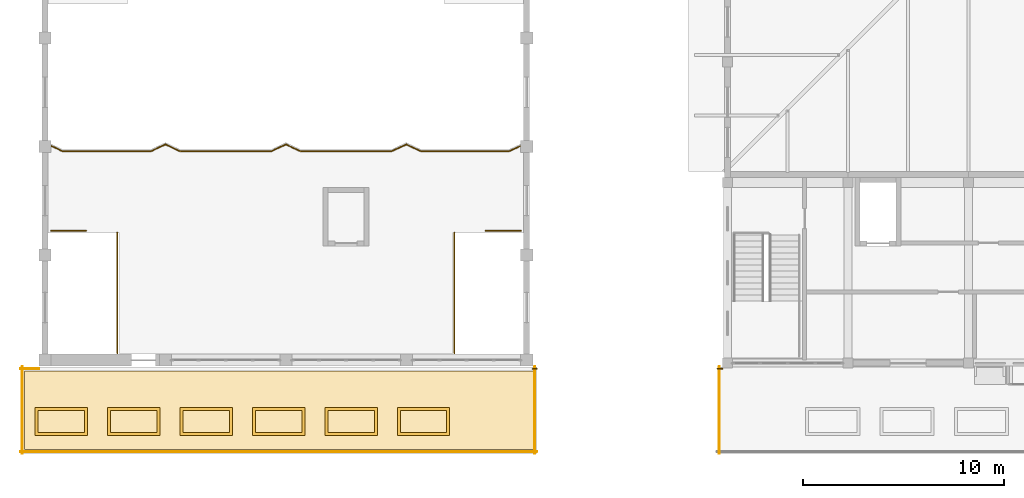
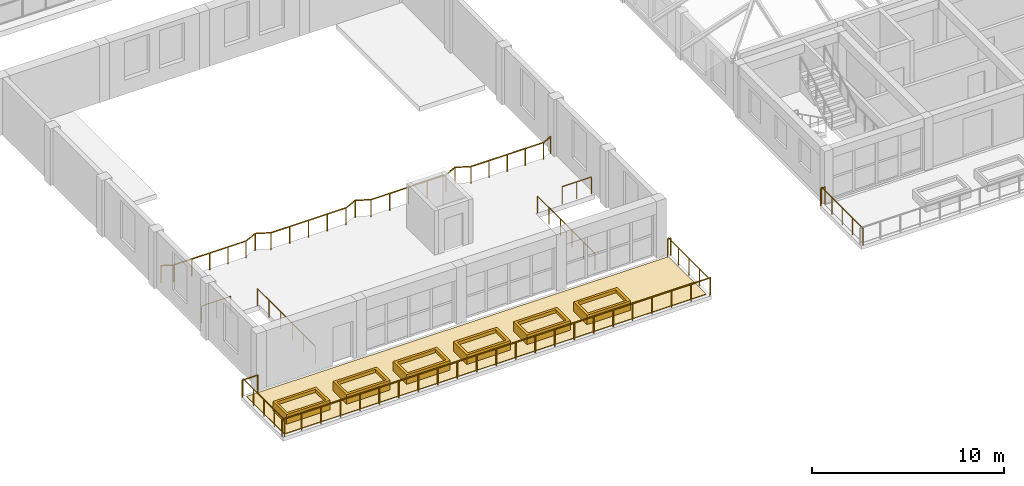
# One storey, part 68 of 82: 13 coverings, 12 railings.
"""IFC4 building model written with IfcOpenShell, lengths in metres."""

from ifc_helpers import new_model, si_unit, direction, frame, origin, origin_2d, place, context, subcontext, project, spatial, polyline, circle, outline, extrude, material, layer, layer_set, type_object, element, save


model = new_model("IFC4")

# Units and contexts
model_context = context("Model", 3, precision=1e-05, world=origin(), true_north=direction((0.0, 1.0)))
body_context = subcontext(model_context, "Body", "Model", "MODEL_VIEW")
ifc_project = project(units=[si_unit("LENGTHUNIT", "METRE"), si_unit("AREAUNIT", "SQUARE_METRE"), si_unit("VOLUMEUNIT", "CUBIC_METRE"), si_unit("PLANEANGLEUNIT", "RADIAN"), si_unit("MASSUNIT", "GRAM", prefix="KILO")], contexts=[model_context])

# Site, building, storey
site_placement = place(None, origin())
site = spatial("IfcSite", under=ifc_project, at=site_placement, CompositionType="ELEMENT")
building_placement = place(site_placement, origin())
building = spatial("IfcBuilding", under=site, at=building_placement, Name="Elbe Cascade School", CompositionType="ELEMENT")
storey_placement = place(building_placement, frame((0.0, 0.0, 4.5)))
storey = spatial("IfcBuildingStorey", under=building, at=storey_placement, Name="L01", CompositionType="ELEMENT", Elevation=4.5)

# Railings
ifc_material_1 = material(Name="Steel S355J2H balustrade", Category="steel")
railing_type_1 = type_object("IfcRailingType", Name="Assembly hall guard 1100", PredefinedType="GUARDRAIL", material=ifc_material_1)
railing_1_placement = place(storey_placement, frame((5.300048828125, 12.60009765625, 0.0)))
element("IfcRailing", 1, at=railing_1_placement, inside=storey, type_object=railing_type_1, Name="Assembly hall guard 1100 RL14", PredefinedType="GUARDRAIL", context=body_context, shape_type="SweptSolid", body=[
    extrude(circle(Radius=0.02490234375, at=origin_2d()), frame((0.0, 0.0, 1.0751953125), z_axis=(1.0, 0.0, 0.0), x_axis=(0.0, 1.0, 0.0)), (0.0, 0.0, 1.0), 1.75),
    extrude(circle(Radius=0.02001953125, at=origin_2d()), origin(), (0.0, 0.0, 1.0), 1.050048828125),
    extrude(circle(Radius=0.02001953125, at=origin_2d()), frame((0.875, 0.0, 0.0)), (0.0, 0.0, 1.0), 1.050048828125),
    extrude(circle(Radius=0.02001953125, at=origin_2d()), frame((1.75, 0.0, 0.0)), (0.0, 0.0, 1.0), 1.050048828125),
])
railing_2_placement = place(storey_placement, frame((28.699951171875, 12.60009765625, 0.0)))
element("IfcRailing", 2, at=railing_2_placement, inside=storey, type_object=railing_type_1, Name="Assembly hall guard 1100 RL14", PredefinedType="GUARDRAIL", context=body_context, shape_type="SweptSolid", body=[
    extrude(circle(Radius=0.02490234375, at=origin_2d()), frame((0.0, 0.0, 1.0751953125), z_axis=(-1.0, 0.0, 0.0), x_axis=(0.0, -1.0, 0.0)), (0.0, 0.0, 1.0), 1.75),
    extrude(circle(Radius=0.02001953125, at=origin_2d()), origin(), (0.0, 0.0, 1.0), 1.050048828125),
    extrude(circle(Radius=0.02001953125, at=origin_2d()), frame((-0.875, 0.0, 0.0)), (0.0, 0.0, 1.0), 1.050048828125),
    extrude(circle(Radius=0.02001953125, at=origin_2d()), frame((-1.75, 0.0, 0.0)), (0.0, 0.0, 1.0), 1.050048828125),
])
for number, where, name in (
    (3, (8.60009765625, 6.5, 0.0), "Assembly hall guard 1100 RL14"),
    (4, (25.39990234375, 6.5, 0.0), "Assembly hall guard 1100 RL14"),
):
    element("IfcRailing", number, at=place(storey_placement, frame(where)), inside=storey, type_object=railing_type_1, Name=name, PredefinedType="GUARDRAIL", context=body_context, shape_type="SweptSolid", body=[
        extrude(circle(Radius=0.02490234375, at=origin_2d()), frame((0.0, 0.0, 1.0751953125), z_axis=(0.0, 1.0, 0.0), x_axis=(-1.0, 0.0, 0.0)), (0.0, 0.0, 1.0), 6.0),
        extrude(circle(Radius=0.02001953125, at=origin_2d()), origin(), (0.0, 0.0, 1.0), 1.050048828125),
        extrude(circle(Radius=0.02001953125, at=origin_2d()), frame((0.0, 1.199951171875, 0.0)), (0.0, 0.0, 1.0), 1.050048828125),
        extrude(circle(Radius=0.02001953125, at=origin_2d()), frame((0.0, 2.39990234375, 0.0)), (0.0, 0.0, 1.0), 1.050048828125),
        extrude(circle(Radius=0.02001953125, at=origin_2d()), frame((0.0, 3.60009765625, 0.0)), (0.0, 0.0, 1.0), 1.050048828125),
        extrude(circle(Radius=0.02001953125, at=origin_2d()), frame((0.0, 4.800048828125, 0.0)), (0.0, 0.0, 1.0), 1.050048828125),
        extrude(circle(Radius=0.02001953125, at=origin_2d()), frame((0.0, 6.0, 0.0)), (0.0, 0.0, 1.0), 1.050048828125),
    ])
railing_3_placement = place(storey_placement, frame((5.300048828125, 16.830078125, 0.0)))
element("IfcRailing", 5, at=railing_3_placement, inside=storey, type_object=railing_type_1, Name="Assembly hall guard 1100 RL14", PredefinedType="GUARDRAIL", context=body_context, shape_type="SweptSolid", body=[
    extrude(circle(Radius=0.02490234375, at=origin_2d()), frame((0.0, 0.0, 1.0751953125), z_axis=(0.906126601447, -0.423006598234, 0.0), x_axis=(0.423006598234, 0.906126601447, 0.0)), (0.0, 0.0, 1.0), 0.662109375),
    extrude(circle(Radius=0.02490234375, at=origin_2d()), frame((0.599853515625, -0.280029296875, 1.0751953125), z_axis=(1.0, 0.0, 0.0), x_axis=(0.0, 1.0, 0.0)), (0.0, 0.0, 1.0), 4.35009765625),
    extrude(circle(Radius=0.02490234375, at=origin_2d()), frame((4.949951171875, -0.280029296875, 1.0751953125), z_axis=(0.906250957626, 0.422740111419, 0.0), x_axis=(-0.422740111419, 0.906250957626, 0.0)), (0.0, 0.0, 1.0), 0.82763671875),
    extrude(circle(Radius=0.02490234375, at=origin_2d()), frame((5.699951171875, 0.06982421875, 1.0751953125), z_axis=(0.906250957626, -0.422740111419, 0.0), x_axis=(0.422740111419, 0.906250957626, 0.0)), (0.0, 0.0, 1.0), 0.82763671875),
    extrude(circle(Radius=0.02490234375, at=origin_2d()), frame((6.449951171875, -0.280029296875, 1.0751953125), z_axis=(1.0, 0.0, 0.0), x_axis=(0.0, 1.0, 0.0)), (0.0, 0.0, 1.0), 4.5),
    extrude(circle(Radius=0.02490234375, at=origin_2d()), frame((10.949951171875, -0.280029296875, 1.0751953125), z_axis=(0.906250957626, 0.422740111419, 0.0), x_axis=(-0.422740111419, 0.906250957626, 0.0)), (0.0, 0.0, 1.0), 0.82763671875),
    extrude(circle(Radius=0.02490234375, at=origin_2d()), frame((11.699951171875, 0.06982421875, 1.0751953125), z_axis=(0.906250957626, -0.422740111419, 0.0), x_axis=(0.422740111419, 0.906250957626, 0.0)), (0.0, 0.0, 1.0), 0.82763671875),
    extrude(circle(Radius=0.02490234375, at=origin_2d()), frame((12.449951171875, -0.280029296875, 1.0751953125), z_axis=(1.0, 0.0, 0.0), x_axis=(0.0, 1.0, 0.0)), (0.0, 0.0, 1.0), 4.5),
    extrude(circle(Radius=0.02490234375, at=origin_2d()), frame((16.949951171875, -0.280029296875, 1.0751953125), z_axis=(0.906250957626, 0.422740111419, 0.0), x_axis=(-0.422740111419, 0.906250957626, 0.0)), (0.0, 0.0, 1.0), 0.82763671875),
    extrude(circle(Radius=0.02490234375, at=origin_2d()), frame((17.699951171875, 0.06982421875, 1.0751953125), z_axis=(0.906250957626, -0.422740111419, 0.0), x_axis=(0.422740111419, 0.906250957626, 0.0)), (0.0, 0.0, 1.0), 0.82763671875),
    extrude(circle(Radius=0.02490234375, at=origin_2d()), frame((18.449951171875, -0.280029296875, 1.0751953125), z_axis=(1.0, 0.0, 0.0), x_axis=(0.0, 1.0, 0.0)), (0.0, 0.0, 1.0), 4.35009765625),
    extrude(circle(Radius=0.02490234375, at=origin_2d()), frame((22.800048828125, -0.280029296875, 1.0751953125), z_axis=(0.906126601447, 0.423006598234, 0.0), x_axis=(-0.423006598234, 0.906126601447, 0.0)), (0.0, 0.0, 1.0), 0.662109375),
    extrude(circle(Radius=0.02001953125, at=origin_2d()), origin(), (0.0, 0.0, 1.0), 1.050048828125),
    extrude(circle(Radius=0.02001953125, at=origin_2d()), frame((0.599853515625, -0.280029296875, 0.0)), (0.0, 0.0, 1.0), 1.050048828125),
    extrude(circle(Radius=0.02001953125, at=origin_2d()), frame((1.6875, -0.280029296875, 0.0)), (0.0, 0.0, 1.0), 1.050048828125),
    extrude(circle(Radius=0.02001953125, at=origin_2d()), frame((2.77490234375, -0.280029296875, 0.0)), (0.0, 0.0, 1.0), 1.050048828125),
    extrude(circle(Radius=0.02001953125, at=origin_2d()), frame((3.8623046875, -0.280029296875, 0.0)), (0.0, 0.0, 1.0), 1.050048828125),
    extrude(circle(Radius=0.02001953125, at=origin_2d()), frame((4.949951171875, -0.280029296875, 0.0)), (0.0, 0.0, 1.0), 1.050048828125),
    extrude(circle(Radius=0.02001953125, at=origin_2d()), frame((5.699951171875, 0.06982421875, 0.0)), (0.0, 0.0, 1.0), 1.050048828125),
    extrude(circle(Radius=0.02001953125, at=origin_2d()), frame((6.449951171875, -0.280029296875, 0.0)), (0.0, 0.0, 1.0), 1.050048828125),
    extrude(circle(Radius=0.02001953125, at=origin_2d()), frame((7.574951171875, -0.280029296875, 0.0)), (0.0, 0.0, 1.0), 1.050048828125),
    extrude(circle(Radius=0.02001953125, at=origin_2d()), frame((8.699951171875, -0.280029296875, 0.0)), (0.0, 0.0, 1.0), 1.050048828125),
    extrude(circle(Radius=0.02001953125, at=origin_2d()), frame((9.824951171875, -0.280029296875, 0.0)), (0.0, 0.0, 1.0), 1.050048828125),
    extrude(circle(Radius=0.02001953125, at=origin_2d()), frame((10.949951171875, -0.280029296875, 0.0)), (0.0, 0.0, 1.0), 1.050048828125),
    extrude(circle(Radius=0.02001953125, at=origin_2d()), frame((11.699951171875, 0.06982421875, 0.0)), (0.0, 0.0, 1.0), 1.050048828125),
    extrude(circle(Radius=0.02001953125, at=origin_2d()), frame((12.449951171875, -0.280029296875, 0.0)), (0.0, 0.0, 1.0), 1.050048828125),
    extrude(circle(Radius=0.02001953125, at=origin_2d()), frame((13.574951171875, -0.280029296875, 0.0)), (0.0, 0.0, 1.0), 1.050048828125),
    extrude(circle(Radius=0.02001953125, at=origin_2d()), frame((14.699951171875, -0.280029296875, 0.0)), (0.0, 0.0, 1.0), 1.050048828125),
    extrude(circle(Radius=0.02001953125, at=origin_2d()), frame((15.824951171875, -0.280029296875, 0.0)), (0.0, 0.0, 1.0), 1.050048828125),
    extrude(circle(Radius=0.02001953125, at=origin_2d()), frame((16.949951171875, -0.280029296875, 0.0)), (0.0, 0.0, 1.0), 1.050048828125),
    extrude(circle(Radius=0.02001953125, at=origin_2d()), frame((17.699951171875, 0.06982421875, 0.0)), (0.0, 0.0, 1.0), 1.050048828125),
    extrude(circle(Radius=0.02001953125, at=origin_2d()), frame((18.449951171875, -0.280029296875, 0.0)), (0.0, 0.0, 1.0), 1.050048828125),
    extrude(circle(Radius=0.02001953125, at=origin_2d()), frame((19.53759765625, -0.280029296875, 0.0)), (0.0, 0.0, 1.0), 1.050048828125),
    extrude(circle(Radius=0.02001953125, at=origin_2d()), frame((20.625, -0.280029296875, 0.0)), (0.0, 0.0, 1.0), 1.050048828125),
    extrude(circle(Radius=0.02001953125, at=origin_2d()), frame((21.71240234375, -0.280029296875, 0.0)), (0.0, 0.0, 1.0), 1.050048828125),
    extrude(circle(Radius=0.02001953125, at=origin_2d()), frame((22.800048828125, -0.280029296875, 0.0)), (0.0, 0.0, 1.0), 1.050048828125),
    extrude(circle(Radius=0.02001953125, at=origin_2d()), frame((23.39990234375, 0.0, 0.0)), (0.0, 0.0, 1.0), 1.050048828125),
])

# Covering
ifc_material_2 = material(Name="Bitumen roofing membrane", Category="membrane")
ifc_layer_1 = layer(ifc_material_2, 0.0400390625)
ifc_layer_set_1 = layer_set([ifc_layer_1], Name="Bitumen roofing membrane")
covering_type_1 = type_object("IfcCoveringType", Name="Colonnade roofing 40", PredefinedType="ROOFING", material=ifc_layer_set_1)
covering_1_placement = place(storey_placement, origin())
element("IfcCovering", 6, at=covering_1_placement, inside=storey, type_object=covering_type_1, Name="Colonnade roof covering 1.1", PredefinedType="ROOFING", context=body_context, shape_type="SweptSolid", body=[
    extrude(outline(polyline([(29.300048828125, 1.699951171875), (29.300048828125, 5.6201171875), (3.97509765625, 5.6201171875), (3.97509765625, 1.699951171875), (29.300048828125, 1.699951171875)])), origin(), (0.0, 0.0, 1.0), 0.0400390625),
])

# Railings
ifc_material_3 = material(Name="Steel S355J2H", Category="steel")
railing_type_2 = type_object("IfcRailingType", Name="Quay and steps guard 1100", PredefinedType="GUARDRAIL", material=ifc_material_3)
railing_4_placement = place(storey_placement, frame((3.875, 1.5, 0.0)))
element("IfcRailing", 7, at=railing_4_placement, inside=storey, type_object=railing_type_2, Name="Colonnade roof guard 1", PredefinedType="GUARDRAIL", context=body_context, shape_type="SweptSolid", body=[
    extrude(circle(Radius=0.02392578125, at=origin_2d()), frame((0.0, 0.0, 1.076171875), z_axis=(0.0, 1.0, 0.0), x_axis=(-1.0, 0.0, 0.0)), (0.0, 0.0, 1.0), 4.320068359375),
    extrude(circle(Radius=0.02099609375, at=origin_2d()), origin(), (0.0, 0.0, 1.0), 1.052001953125),
    extrude(circle(Radius=0.02099609375, at=origin_2d()), frame((0.0, 1.080078125, 0.0)), (0.0, 0.0, 1.0), 1.052001953125),
    extrude(circle(Radius=0.02099609375, at=origin_2d()), frame((0.0, 2.16015625, 0.0)), (0.0, 0.0, 1.0), 1.052001953125),
    extrude(circle(Radius=0.02099609375, at=origin_2d()), frame((0.0, 3.239990234375, 0.0)), (0.0, 0.0, 1.0), 1.052001953125),
    extrude(circle(Radius=0.02099609375, at=origin_2d()), frame((0.0, 4.320068359375, 0.0)), (0.0, 0.0, 1.0), 1.052001953125),
])
railing_5_placement = place(storey_placement, frame((3.77490234375, 5.719970703125, 0.0)))
element("IfcRailing", 8, at=railing_5_placement, inside=storey, type_object=railing_type_2, Name="Colonnade roof guard 2", PredefinedType="GUARDRAIL", context=body_context, shape_type="SweptSolid", body=[
    extrude(circle(Radius=0.02392578125, at=origin_2d()), frame((0.0, 0.0, 1.076171875), z_axis=(1.0, 0.0, 0.0), x_axis=(0.0, 1.0, 0.0)), (0.0, 0.0, 1.0), 0.925048828125),
    extrude(circle(Radius=0.02099609375, at=origin_2d()), origin(), (0.0, 0.0, 1.0), 1.052001953125),
    extrude(circle(Radius=0.02099609375, at=origin_2d()), frame((0.925048828125, 0.0, 0.0)), (0.0, 0.0, 1.0), 1.052001953125),
])
railing_6_placement = place(storey_placement, frame((29.300048828125, 5.719970703125, 0.0)))
element("IfcRailing", 9, at=railing_6_placement, inside=storey, type_object=railing_type_2, Name="Colonnade roof guard 3", PredefinedType="GUARDRAIL", context=body_context, shape_type="SweptSolid", body=[
    extrude(circle(Radius=0.02392578125, at=origin_2d()), frame((0.0, 0.0, 1.076171875), z_axis=(1.0, 0.0, 0.0), x_axis=(0.0, 1.0, 0.0)), (0.0, 0.0, 1.0), 0.199951171875),
    extrude(circle(Radius=0.02099609375, at=origin_2d()), origin(), (0.0, 0.0, 1.0), 1.052001953125),
    extrude(circle(Radius=0.02099609375, at=origin_2d()), frame((0.199951171875, 0.0, 0.0)), (0.0, 0.0, 1.0), 1.052001953125),
])
railing_7_placement = place(storey_placement, frame((29.39990234375, 5.820068359375, 0.0)))
element("IfcRailing", 10, at=railing_7_placement, inside=storey, type_object=railing_type_2, Name="Colonnade roof guard 4", PredefinedType="GUARDRAIL", context=body_context, shape_type="SweptSolid", body=[
    extrude(circle(Radius=0.02392578125, at=origin_2d()), frame((0.0, 0.0, 1.076171875), z_axis=(0.0, -1.0, 0.0), x_axis=(1.0, 0.0, 0.0)), (0.0, 0.0, 1.0), 4.320068359375),
    extrude(circle(Radius=0.02099609375, at=origin_2d()), origin(), (0.0, 0.0, 1.0), 1.052001953125),
    extrude(circle(Radius=0.02099609375, at=origin_2d()), frame((0.0, -1.080078125, 0.0)), (0.0, 0.0, 1.0), 1.052001953125),
    extrude(circle(Radius=0.02099609375, at=origin_2d()), frame((0.0, -2.16015625, 0.0)), (0.0, 0.0, 1.0), 1.052001953125),
    extrude(circle(Radius=0.02099609375, at=origin_2d()), frame((0.0, -3.239990234375, 0.0)), (0.0, 0.0, 1.0), 1.052001953125),
    extrude(circle(Radius=0.02099609375, at=origin_2d()), frame((0.0, -4.320068359375, 0.0)), (0.0, 0.0, 1.0), 1.052001953125),
])
railing_8_placement = place(storey_placement, frame((29.5, 1.60009765625, 0.0)))
element("IfcRailing", 11, at=railing_8_placement, inside=storey, type_object=railing_type_2, Name="Colonnade roof guard 5", PredefinedType="GUARDRAIL", context=body_context, shape_type="SweptSolid", body=[
    extrude(circle(Radius=0.02392578125, at=origin_2d()), frame((0.0, 0.0, 1.076171875), z_axis=(-1.0, 0.0, 0.0), x_axis=(0.0, -1.0, 0.0)), (0.0, 0.0, 1.0), 25.72509765625),
    extrude(circle(Radius=0.02099609375, at=origin_2d()), origin(), (0.0, 0.0, 1.0), 1.052001953125),
    extrude(circle(Radius=0.02099609375, at=origin_2d()), frame((-1.16943359375, 0.0, 0.0)), (0.0, 0.0, 1.0), 1.052001953125),
    extrude(circle(Radius=0.02099609375, at=origin_2d()), frame((-2.338623046875, 0.0, 0.0)), (0.0, 0.0, 1.0), 1.052001953125),
    extrude(circle(Radius=0.02099609375, at=origin_2d()), frame((-3.508056640625, 0.0, 0.0)), (0.0, 0.0, 1.0), 1.052001953125),
    extrude(circle(Radius=0.02099609375, at=origin_2d()), frame((-4.67724609375, 0.0, 0.0)), (0.0, 0.0, 1.0), 1.052001953125),
    extrude(circle(Radius=0.02099609375, at=origin_2d()), frame((-5.8466796875, 0.0, 0.0)), (0.0, 0.0, 1.0), 1.052001953125),
    extrude(circle(Radius=0.02099609375, at=origin_2d()), frame((-7.015869140625, 0.0, 0.0)), (0.0, 0.0, 1.0), 1.052001953125),
    extrude(circle(Radius=0.02099609375, at=origin_2d()), frame((-8.185302734375, 0.0, 0.0)), (0.0, 0.0, 1.0), 1.052001953125),
    extrude(circle(Radius=0.02099609375, at=origin_2d()), frame((-9.3544921875, 0.0, 0.0)), (0.0, 0.0, 1.0), 1.052001953125),
    extrude(circle(Radius=0.02099609375, at=origin_2d()), frame((-10.52392578125, 0.0, 0.0)), (0.0, 0.0, 1.0), 1.052001953125),
    extrude(circle(Radius=0.02099609375, at=origin_2d()), frame((-11.693115234375, 0.0, 0.0)), (0.0, 0.0, 1.0), 1.052001953125),
    extrude(circle(Radius=0.02099609375, at=origin_2d()), frame((-12.862548828125, 0.0, 0.0)), (0.0, 0.0, 1.0), 1.052001953125),
    extrude(circle(Radius=0.02099609375, at=origin_2d()), frame((-14.031982421875, 0.0, 0.0)), (0.0, 0.0, 1.0), 1.052001953125),
    extrude(circle(Radius=0.02099609375, at=origin_2d()), frame((-15.201171875, 0.0, 0.0)), (0.0, 0.0, 1.0), 1.052001953125),
    extrude(circle(Radius=0.02099609375, at=origin_2d()), frame((-16.37060546875, 0.0, 0.0)), (0.0, 0.0, 1.0), 1.052001953125),
    extrude(circle(Radius=0.02099609375, at=origin_2d()), frame((-17.539794921875, 0.0, 0.0)), (0.0, 0.0, 1.0), 1.052001953125),
    extrude(circle(Radius=0.02099609375, at=origin_2d()), frame((-18.709228515625, 0.0, 0.0)), (0.0, 0.0, 1.0), 1.052001953125),
    extrude(circle(Radius=0.02099609375, at=origin_2d()), frame((-19.87841796875, 0.0, 0.0)), (0.0, 0.0, 1.0), 1.052001953125),
    extrude(circle(Radius=0.02099609375, at=origin_2d()), frame((-21.0478515625, 0.0, 0.0)), (0.0, 0.0, 1.0), 1.052001953125),
    extrude(circle(Radius=0.02099609375, at=origin_2d()), frame((-22.217041015625, 0.0, 0.0)), (0.0, 0.0, 1.0), 1.052001953125),
    extrude(circle(Radius=0.02099609375, at=origin_2d()), frame((-23.386474609375, 0.0, 0.0)), (0.0, 0.0, 1.0), 1.052001953125),
    extrude(circle(Radius=0.02099609375, at=origin_2d()), frame((-24.5556640625, 0.0, 0.0)), (0.0, 0.0, 1.0), 1.052001953125),
    extrude(circle(Radius=0.02099609375, at=origin_2d()), frame((-25.72509765625, 0.0, 0.0)), (0.0, 0.0, 1.0), 1.052001953125),
])
railing_9_placement = place(storey_placement, frame((38.60009765625, 1.5, 0.0)))
element("IfcRailing", 12, at=railing_9_placement, inside=storey, type_object=railing_type_2, Name="Colonnade roof guard 2", PredefinedType="GUARDRAIL", context=body_context, shape_type="SweptSolid", body=[
    extrude(circle(Radius=0.02392578125, at=origin_2d()), frame((0.0, 0.0, 1.076171875), z_axis=(0.0, 1.0, 0.0), x_axis=(-1.0, 0.0, 0.0)), (0.0, 0.0, 1.0), 4.320068359375),
    extrude(circle(Radius=0.02099609375, at=origin_2d()), origin(), (0.0, 0.0, 1.0), 1.052001953125),
    extrude(circle(Radius=0.02099609375, at=origin_2d()), frame((0.0, 1.080078125, 0.0)), (0.0, 0.0, 1.0), 1.052001953125),
    extrude(circle(Radius=0.02099609375, at=origin_2d()), frame((0.0, 2.16015625, 0.0)), (0.0, 0.0, 1.0), 1.052001953125),
    extrude(circle(Radius=0.02099609375, at=origin_2d()), frame((0.0, 3.239990234375, 0.0)), (0.0, 0.0, 1.0), 1.052001953125),
    extrude(circle(Radius=0.02099609375, at=origin_2d()), frame((0.0, 4.320068359375, 0.0)), (0.0, 0.0, 1.0), 1.052001953125),
])
railing_10_placement = place(storey_placement, frame((38.5, 5.719970703125, 0.0)))
element("IfcRailing", 13, at=railing_10_placement, inside=storey, type_object=railing_type_2, Name="Colonnade roof guard 3", PredefinedType="GUARDRAIL", context=body_context, shape_type="SweptSolid", body=[
    extrude(circle(Radius=0.02392578125, at=origin_2d()), frame((0.0, 0.0, 1.076171875), z_axis=(1.0, 0.0, 0.0), x_axis=(0.0, 1.0, 0.0)), (0.0, 0.0, 1.0), 0.25),
    extrude(circle(Radius=0.02099609375, at=origin_2d()), origin(), (0.0, 0.0, 1.0), 1.052001953125),
    extrude(circle(Radius=0.02099609375, at=origin_2d()), frame((0.25, 0.0, 0.0)), (0.0, 0.0, 1.0), 1.052001953125),
])

# Coverings
ifc_material_4 = material(Name="Planting - soil and shrubs", Category="soil")
ifc_layer_2 = layer(ifc_material_4, 0.39990234375)
ifc_layer_set_2 = layer_set([ifc_layer_2], Name="Planting - soil and shrubs")
covering_type_2 = type_object("IfcCoveringType", Name="Site planting bed 400", PredefinedType="USERDEFINED", material=ifc_layer_set_2)
covering_2_placement = place(storey_placement, frame((0.0, 0.0, 0.0400390625)))
element("IfcCovering", 14, at=covering_2_placement, inside=storey, type_object=covering_type_2, Name="Colonnade roof planting bed 1", ObjectType="PLANTING BED", PredefinedType="USERDEFINED", context=body_context, shape_type="SweptSolid", body=[
    extrude(outline(polyline([(4.64990234375, 2.550048828125), (6.960693359375, 2.550048828125), (6.960693359375, 3.64990234375), (4.64990234375, 3.64990234375), (4.64990234375, 2.550048828125)])), origin(), (0.0, 0.0, 1.0), 0.39990234375),
])
covering_3_placement = place(storey_placement, frame((0.0, 0.0, 0.0400390625)))
element("IfcCovering", 15, at=covering_3_placement, inside=storey, type_object=covering_type_2, Name="Colonnade roof planting bed 2", ObjectType="PLANTING BED", PredefinedType="USERDEFINED", context=body_context, shape_type="SweptSolid", body=[
    extrude(outline(polyline([(8.2607421875, 2.550048828125), (10.5712890625, 2.550048828125), (10.5712890625, 3.64990234375), (8.2607421875, 3.64990234375), (8.2607421875, 2.550048828125)])), origin(), (0.0, 0.0, 1.0), 0.39990234375),
])
covering_4_placement = place(storey_placement, frame((0.0, 0.0, 0.0400390625)))
element("IfcCovering", 16, at=covering_4_placement, inside=storey, type_object=covering_type_2, Name="Colonnade roof planting bed 3", ObjectType="PLANTING BED", PredefinedType="USERDEFINED", context=body_context, shape_type="SweptSolid", body=[
    extrude(outline(polyline([(11.871337890625, 2.550048828125), (14.18212890625, 2.550048828125), (14.18212890625, 3.64990234375), (11.871337890625, 3.64990234375), (11.871337890625, 2.550048828125)])), origin(), (0.0, 0.0, 1.0), 0.39990234375),
])
covering_5_placement = place(storey_placement, frame((0.0, 0.0, 0.0400390625)))
element("IfcCovering", 17, at=covering_5_placement, inside=storey, type_object=covering_type_2, Name="Colonnade roof planting bed 4", ObjectType="PLANTING BED", PredefinedType="USERDEFINED", context=body_context, shape_type="SweptSolid", body=[
    extrude(outline(polyline([(15.482177734375, 2.550048828125), (17.79296875, 2.550048828125), (17.79296875, 3.64990234375), (15.482177734375, 3.64990234375), (15.482177734375, 2.550048828125)])), origin(), (0.0, 0.0, 1.0), 0.39990234375),
])
covering_6_placement = place(storey_placement, frame((0.0, 0.0, 0.0400390625)))
element("IfcCovering", 18, at=covering_6_placement, inside=storey, type_object=covering_type_2, Name="Colonnade roof planting bed 5", ObjectType="PLANTING BED", PredefinedType="USERDEFINED", context=body_context, shape_type="SweptSolid", body=[
    extrude(outline(polyline([(19.093017578125, 2.550048828125), (21.403564453125, 2.550048828125), (21.403564453125, 3.64990234375), (19.093017578125, 3.64990234375), (19.093017578125, 2.550048828125)])), origin(), (0.0, 0.0, 1.0), 0.39990234375),
])
covering_7_placement = place(storey_placement, frame((0.0, 0.0, 0.0400390625)))
element("IfcCovering", 19, at=covering_7_placement, inside=storey, type_object=covering_type_2, Name="Colonnade roof planting bed 6", ObjectType="PLANTING BED", PredefinedType="USERDEFINED", context=body_context, shape_type="SweptSolid", body=[
    extrude(outline(polyline([(22.70361328125, 2.550048828125), (25.014404296875, 2.550048828125), (25.014404296875, 3.64990234375), (22.70361328125, 3.64990234375), (22.70361328125, 2.550048828125)])), origin(), (0.0, 0.0, 1.0), 0.39990234375),
])
ifc_material_5 = material(Name="Concrete C30/37 precast kerb", Category="concrete")
ifc_layer_3 = layer(ifc_material_5, 0.14990234375)
ifc_layer_set_3 = layer_set([ifc_layer_3], Name="Concrete C30/37 precast kerb")
covering_type_3 = type_object("IfcCoveringType", Name="Site planting bed kerb 150x600", PredefinedType="CLADDING", material=ifc_layer_set_3)
covering_8_placement = place(storey_placement, frame((0.0, 0.0, 0.0400390625)))
element("IfcCovering", 20, at=covering_8_placement, inside=storey, type_object=covering_type_3, Name="Colonnade roof planting bed kerb 1", PredefinedType="CLADDING", context=body_context, shape_type="SweptSolid", body=[
    extrude(outline(polyline([(4.5, 2.39990234375), (7.110595703125, 2.39990234375), (7.110595703125, 3.800048828125), (4.5, 3.800048828125), (4.5, 2.39990234375)]), holes=[polyline([(4.64990234375, 2.550048828125), (6.960693359375, 2.550048828125), (6.960693359375, 3.64990234375), (4.64990234375, 3.64990234375), (4.64990234375, 2.550048828125)])]), origin(), (0.0, 0.0, 1.0), 0.599853515625),
])
covering_9_placement = place(storey_placement, frame((0.0, 0.0, 0.0400390625)))
element("IfcCovering", 21, at=covering_9_placement, inside=storey, type_object=covering_type_3, Name="Colonnade roof planting bed kerb 2", PredefinedType="CLADDING", context=body_context, shape_type="SweptSolid", body=[
    extrude(outline(polyline([(8.110595703125, 2.39990234375), (10.721435546875, 2.39990234375), (10.721435546875, 3.800048828125), (8.110595703125, 3.800048828125), (8.110595703125, 2.39990234375)]), holes=[polyline([(8.2607421875, 2.550048828125), (10.5712890625, 2.550048828125), (10.5712890625, 3.64990234375), (8.2607421875, 3.64990234375), (8.2607421875, 2.550048828125)])]), origin(), (0.0, 0.0, 1.0), 0.599853515625),
])
covering_10_placement = place(storey_placement, frame((0.0, 0.0, 0.0400390625)))
element("IfcCovering", 22, at=covering_10_placement, inside=storey, type_object=covering_type_3, Name="Colonnade roof planting bed kerb 3", PredefinedType="CLADDING", context=body_context, shape_type="SweptSolid", body=[
    extrude(outline(polyline([(11.721435546875, 2.39990234375), (14.33203125, 2.39990234375), (14.33203125, 3.800048828125), (11.721435546875, 3.800048828125), (11.721435546875, 2.39990234375)]), holes=[polyline([(11.871337890625, 2.550048828125), (14.18212890625, 2.550048828125), (14.18212890625, 3.64990234375), (11.871337890625, 3.64990234375), (11.871337890625, 2.550048828125)])]), origin(), (0.0, 0.0, 1.0), 0.599853515625),
])
covering_11_placement = place(storey_placement, frame((0.0, 0.0, 0.0400390625)))
element("IfcCovering", 23, at=covering_11_placement, inside=storey, type_object=covering_type_3, Name="Colonnade roof planting bed kerb 4", PredefinedType="CLADDING", context=body_context, shape_type="SweptSolid", body=[
    extrude(outline(polyline([(15.33203125, 2.39990234375), (17.94287109375, 2.39990234375), (17.94287109375, 3.800048828125), (15.33203125, 3.800048828125), (15.33203125, 2.39990234375)]), holes=[polyline([(15.482177734375, 2.550048828125), (17.79296875, 2.550048828125), (17.79296875, 3.64990234375), (15.482177734375, 3.64990234375), (15.482177734375, 2.550048828125)])]), origin(), (0.0, 0.0, 1.0), 0.599853515625),
])
covering_12_placement = place(storey_placement, frame((0.0, 0.0, 0.0400390625)))
element("IfcCovering", 24, at=covering_12_placement, inside=storey, type_object=covering_type_3, Name="Colonnade roof planting bed kerb 5", PredefinedType="CLADDING", context=body_context, shape_type="SweptSolid", body=[
    extrude(outline(polyline([(18.94287109375, 2.39990234375), (21.5537109375, 2.39990234375), (21.5537109375, 3.800048828125), (18.94287109375, 3.800048828125), (18.94287109375, 2.39990234375)]), holes=[polyline([(19.093017578125, 2.550048828125), (21.403564453125, 2.550048828125), (21.403564453125, 3.64990234375), (19.093017578125, 3.64990234375), (19.093017578125, 2.550048828125)])]), origin(), (0.0, 0.0, 1.0), 0.599853515625),
])
covering_13_placement = place(storey_placement, frame((0.0, 0.0, 0.0400390625)))
element("IfcCovering", 25, at=covering_13_placement, inside=storey, type_object=covering_type_3, Name="Colonnade roof planting bed kerb 6", PredefinedType="CLADDING", context=body_context, shape_type="SweptSolid", body=[
    extrude(outline(polyline([(22.5537109375, 2.39990234375), (25.164306640625, 2.39990234375), (25.164306640625, 3.800048828125), (22.5537109375, 3.800048828125), (22.5537109375, 2.39990234375)]), holes=[polyline([(22.70361328125, 2.550048828125), (25.014404296875, 2.550048828125), (25.014404296875, 3.64990234375), (22.70361328125, 3.64990234375), (22.70361328125, 2.550048828125)])]), origin(), (0.0, 0.0, 1.0), 0.599853515625),
])

save(model, "model.ifc")
